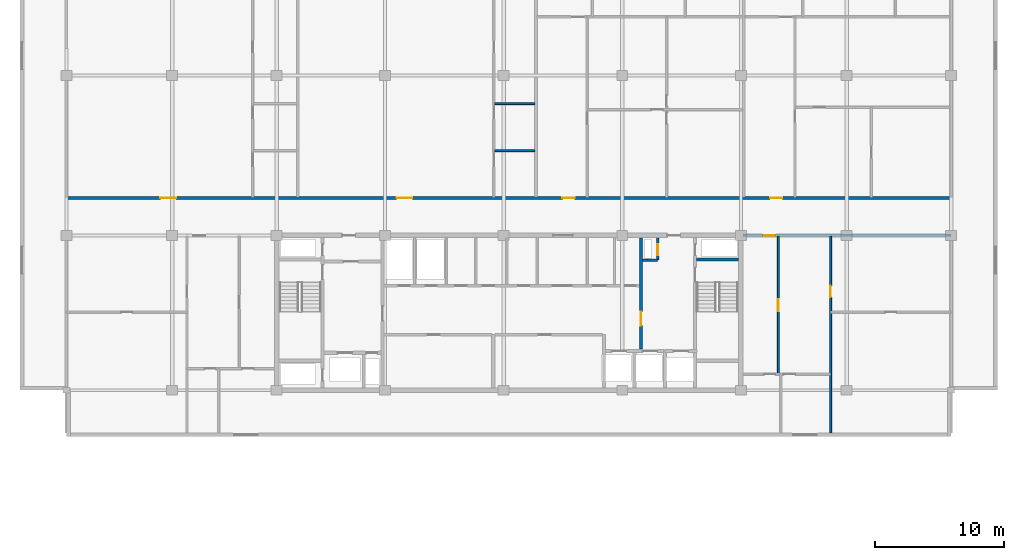
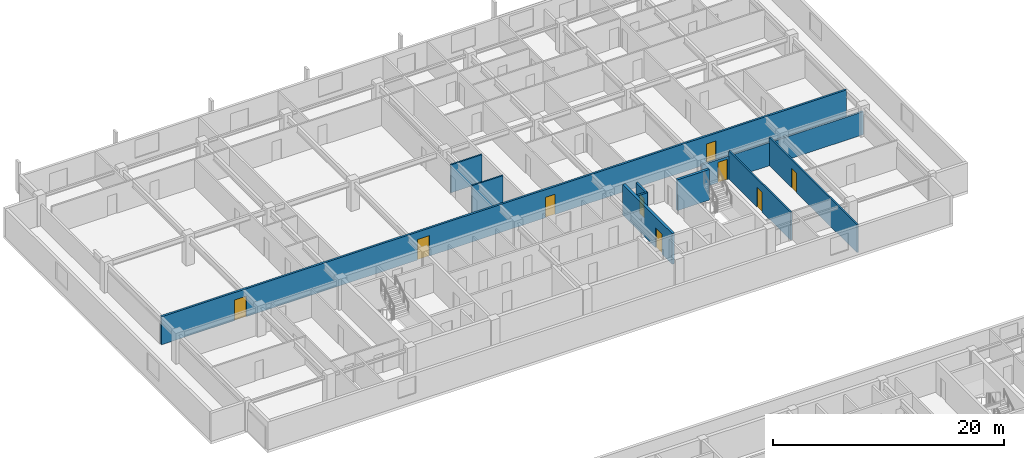
# One storey, part 21 of 30: 10 walls, 9 doors, 9 openings.
"""IFC4 building model written with IfcOpenShell, lengths in metres."""

from ifc_helpers import new_model, si_unit, direction, frame, frame_2d, origin, place, context, subcontext, project, spatial, rectangle, extrude, material, layer, layer_set, type_object, element, fill, save


model = new_model("IFC4")

# Units and contexts
model_context = context("Model", 3, precision=1e-05, world=origin(), true_north=direction((0.0, 1.0)))
body_context = subcontext(model_context, "Body", "Model", "MODEL_VIEW")
ifc_project = project(units=[si_unit("LENGTHUNIT", "METRE"), si_unit("AREAUNIT", "SQUARE_METRE"), si_unit("VOLUMEUNIT", "CUBIC_METRE"), si_unit("PLANEANGLEUNIT", "RADIAN"), si_unit("MASSUNIT", "GRAM", prefix="KILO")], contexts=[model_context])

# Site, building, storey
site_placement = place(None, origin())
site = spatial("IfcSite", under=ifc_project, at=site_placement, CompositionType="ELEMENT")
building_placement = place(site_placement, origin())
building = spatial("IfcBuilding", under=site, at=building_placement, Name="Korimba Cascade Residences", CompositionType="ELEMENT")
storey_placement = place(building_placement, frame((0.0, 0.0, 201.10009765625)))
storey = spatial("IfcBuildingStorey", under=building, at=storey_placement, Name="L58", CompositionType="ELEMENT", Elevation=201.10009765625)

# Wall, opening, door
ifc_material_1 = material(Name="Precast concrete C40/50", Category="concrete")
ifc_layer_1 = layer(ifc_material_1, 0.199951171875)
ifc_layer_set_1 = layer_set([ifc_layer_1], Name="Precast concrete C40/50")
wall_type_1 = type_object("IfcWallType", Name="WAL-IT-200", PredefinedType="PARTITIONING", material=ifc_layer_set_1)
wall_1_placement = place(storey_placement, frame((112.25, 67.199951171875, 0.0), z_axis=(0.0, 0.0, 1.0), x_axis=(1.0, 0.0, 0.0)))
wall_1 = element("IfcWall", 1, at=wall_1_placement, inside=storey, type_object=wall_type_1, Name="L58 Partition Wall WAL-L58-T1-FE-N", PredefinedType="PARTITIONING", context=body_context, shape_type="SweptSolid", body=[
    extrude(rectangle(XDim=16.14990234375, YDim=0.199951171875, at=frame_2d((8.074951171875, 0.0))), origin(), (0.0, 0.0, 1.0), 2.43310546875),
])
opening_1_placement = place(wall_1_placement, frame((1.580078125, 0.0, 0.0)))
opening_1 = element("IfcOpeningElement", 2, at=opening_1_placement, cuts=wall_1, Name="Opening D-UN1", PredefinedType="OPENING", context=body_context, shape_type="SweptSolid", body=[
    extrude(rectangle(XDim=0.949951171875, YDim=2.14990234375, at=frame_2d((0.47509765625, 1.074951171875))), frame((0.0, 0.10986328125, 0.0), z_axis=(0.0, -1.0, 0.0), x_axis=(1.0, 0.0, 0.0)), (0.0, 0.0, 1.0), 0.219970703125),
])
ifc_material_2 = material(Name="Fire-Rated Hardwood Apartment Entrance Door", Category="wood")
door_type_1 = type_object("IfcDoorType", Name="DR-FD60-950", OperationType="NOTDEFINED", PredefinedType="DOOR", material=ifc_material_2)
door_1_placement = place(opening_1_placement, origin())
door_1 = element("IfcDoor", 3, at=door_1_placement, inside=storey, type_object=door_type_1, Name="L58-T1-FE Entrance Door", OperationType="SINGLE_SWING_LEFT", OverallHeight=2.14990234375, OverallWidth=0.949951171875, PredefinedType="DOOR", context=body_context, shape_type="SweptSolid", body=[
    extrude(rectangle(XDim=0.949951171875, YDim=2.14990234375, at=frame_2d((0.47509765625, 1.074951171875))), frame((0.0, 0.02490234375, 0.0), z_axis=(0.0, -1.0, 0.0), x_axis=(1.0, 0.0, 0.0)), (0.0, 0.0, 1.0), 0.050048828125),
])
fill(opening_1, door_1)

# Wall, openings, doors
wall_2_placement = place(storey_placement, frame((59.800048828125, 70.10009765625, 0.0), z_axis=(0.0, 0.0, 1.0), x_axis=(1.0, 0.0, 0.0)))
wall_2 = element("IfcWall", 4, at=wall_2_placement, inside=storey, type_object=wall_type_1, Name="L58 Partition Wall WAL-L58-T1-CORN", PredefinedType="PARTITIONING", context=body_context, shape_type="SweptSolid", body=[
    extrude(rectangle(XDim=68.599853515625, YDim=0.199951171875, at=frame_2d((34.2998046875, 0.0))), origin(), (0.0, 0.0, 1.0), 2.969970703125),
])
opening_2_placement = place(wall_2_placement, frame((7.281494140625, 0.0, 0.0)))
opening_2 = element("IfcOpeningElement", 5, at=opening_2_placement, cuts=wall_2, Name="Opening D-AM1", PredefinedType="OPENING", context=body_context, shape_type="SweptSolid", body=[
    extrude(rectangle(XDim=1.219970703125, YDim=2.179931640625, at=frame_2d((0.60986328125, 1.08984375))), frame((0.0, 0.10986328125, 0.0), z_axis=(0.0, -1.0, 0.0), x_axis=(1.0, 0.0, 0.0)), (0.0, 0.0, 1.0), 0.219970703125),
])
opening_3_placement = place(wall_2_placement, frame((25.602294921875, 0.0, 0.0)))
opening_3 = element("IfcOpeningElement", 6, at=opening_3_placement, cuts=wall_2, Name="Opening D-AM1", PredefinedType="OPENING", context=body_context, shape_type="SweptSolid", body=[
    extrude(rectangle(XDim=1.219970703125, YDim=2.179931640625, at=frame_2d((0.60986328125, 1.08984375))), frame((0.0, 0.10986328125, 0.0), z_axis=(0.0, -1.0, 0.0), x_axis=(1.0, 0.0, 0.0)), (0.0, 0.0, 1.0), 0.219970703125),
])
opening_4_placement = place(wall_2_placement, frame((38.45654296875, 0.0, 0.0)))
opening_4 = element("IfcOpeningElement", 7, at=opening_4_placement, cuts=wall_2, Name="Opening D-UN1", PredefinedType="OPENING", context=body_context, shape_type="SweptSolid", body=[
    extrude(rectangle(XDim=0.949951171875, YDim=2.14990234375, at=frame_2d((0.47509765625, 1.074951171875))), frame((0.0, 0.10986328125, 0.0), z_axis=(0.0, -1.0, 0.0), x_axis=(1.0, 0.0, 0.0)), (0.0, 0.0, 1.0), 0.219970703125),
])
opening_5_placement = place(wall_2_placement, frame((54.570556640625, 0.0, 0.0)))
opening_5 = element("IfcOpeningElement", 8, at=opening_5_placement, cuts=wall_2, Name="Opening D-UN1", PredefinedType="OPENING", context=body_context, shape_type="SweptSolid", body=[
    extrude(rectangle(XDim=0.949951171875, YDim=2.14990234375, at=frame_2d((0.47509765625, 1.074951171875))), frame((0.0, 0.10986328125, 0.0), z_axis=(0.0, -1.0, 0.0), x_axis=(1.0, 0.0, 0.0)), (0.0, 0.0, 1.0), 0.219970703125),
])
ifc_material_3 = material(Name="Fire-Rated Glazed Timber Suite Door", Category="wood")
door_type_2 = type_object("IfcDoorType", Name="DR-FD60-1200", OperationType="NOTDEFINED", PredefinedType="DOOR", material=ifc_material_3)
door_2_placement = place(opening_2_placement, origin())
door_2 = element("IfcDoor", 9, at=door_2_placement, inside=storey, type_object=door_type_2, Name="L58-T1-U01 Promenade Design Showroom Door", OperationType="SINGLE_SWING_LEFT", OverallHeight=2.179931640625, OverallWidth=1.219970703125, PredefinedType="DOOR", context=body_context, shape_type="SweptSolid", body=[
    extrude(rectangle(XDim=1.219970703125, YDim=2.179931640625, at=frame_2d((0.60986328125, 1.08984375))), frame((0.0, 0.02490234375, 0.0), z_axis=(0.0, -1.0, 0.0), x_axis=(1.0, 0.0, 0.0)), (0.0, 0.0, 1.0), 0.050048828125),
])
fill(opening_2, door_2)
door_3_placement = place(opening_3_placement, origin())
door_3 = element("IfcDoor", 10, at=door_3_placement, inside=storey, type_object=door_type_2, Name="L58-T1-U02 Resident Conference Room Door", OperationType="SINGLE_SWING_RIGHT", OverallHeight=2.179931640625, OverallWidth=1.219970703125, PredefinedType="DOOR", context=body_context, shape_type="SweptSolid", body=[
    extrude(rectangle(XDim=1.219970703125, YDim=2.179931640625, at=frame_2d((0.60986328125, 1.08984375))), frame((0.0, 0.02490234375, 0.0), z_axis=(0.0, -1.0, 0.0), x_axis=(1.0, 0.0, 0.0)), (0.0, 0.0, 1.0), 0.050048828125),
])
fill(opening_3, door_3)
door_4_placement = place(opening_4_placement, origin())
door_4 = element("IfcDoor", 11, at=door_4_placement, inside=storey, type_object=door_type_1, Name="Unit L58-T1-U03 Entrance Door", OperationType="SINGLE_SWING_LEFT", OverallHeight=2.14990234375, OverallWidth=0.949951171875, PredefinedType="DOOR", context=body_context, shape_type="SweptSolid", body=[
    extrude(rectangle(XDim=0.949951171875, YDim=2.14990234375, at=frame_2d((0.47509765625, 1.074951171875))), frame((0.0, 0.02490234375, 0.0), z_axis=(0.0, -1.0, 0.0), x_axis=(1.0, 0.0, 0.0)), (0.0, 0.0, 1.0), 0.050048828125),
])
fill(opening_4, door_4)
door_5_placement = place(opening_5_placement, origin())
door_5 = element("IfcDoor", 12, at=door_5_placement, inside=storey, type_object=door_type_1, Name="Unit L58-T1-U04 Entrance Door", OperationType="SINGLE_SWING_RIGHT", OverallHeight=2.14990234375, OverallWidth=0.949951171875, PredefinedType="DOOR", context=body_context, shape_type="SweptSolid", body=[
    extrude(rectangle(XDim=0.949951171875, YDim=2.14990234375, at=frame_2d((0.47509765625, 1.074951171875))), frame((0.0, 0.02490234375, 0.0), z_axis=(0.0, -1.0, 0.0), x_axis=(1.0, 0.0, 0.0)), (0.0, 0.0, 1.0), 0.050048828125),
])
fill(opening_5, door_5)

# Wall, opening, door
ifc_material_4 = material(Name="Insulated Acoustic Stud Partition", Category="gypsum")
ifc_layer_2 = layer(ifc_material_4, 0.14990234375)
ifc_layer_set_2 = layer_set([ifc_layer_2], Name="Insulated Acoustic Stud Partition")
wall_type_2 = type_object("IfcWallType", Name="WAL-PART-150", PredefinedType="PARTITIONING", material=ifc_layer_set_2)
wall_3_placement = place(storey_placement, frame((119.050048828125, 51.89990234375, 0.0), z_axis=(0.0, 0.0, 1.0), x_axis=(0.0, 1.0, 0.0)))
wall_3 = element("IfcWall", 13, at=wall_3_placement, inside=storey, type_object=wall_type_2, Name="L58 Partition Wall WAL-L58-T1-FE-STV", PredefinedType="PARTITIONING", context=body_context, shape_type="SweptSolid", body=[
    extrude(rectangle(XDim=15.25, YDim=0.14990234375, at=frame_2d((7.625, 0.0))), origin(), (0.0, 0.0, 1.0), 2.969970703125),
])
opening_6_placement = place(wall_3_placement, frame((10.5, 0.0, 0.0)))
opening_6 = element("IfcOpeningElement", 14, at=opening_6_placement, cuts=wall_3, Name="Opening D-IN2", PredefinedType="OPENING", context=body_context, shape_type="SweptSolid", body=[
    extrude(rectangle(XDim=0.8798828125, YDim=2.06005859375, at=frame_2d((0.43994140625, 1.030029296875))), frame((0.0, 0.0849609375, 0.0), z_axis=(0.0, -1.0, 0.0), x_axis=(1.0, 0.0, 0.0)), (0.0, 0.0, 1.0), 0.169921875),
])
ifc_material_5 = material(Name="Acoustic Timber Bedroom Door", Category="wood")
door_type_3 = type_object("IfcDoorType", Name="DR-INT-880", OperationType="NOTDEFINED", PredefinedType="DOOR", material=ifc_material_5)
door_6_placement = place(opening_6_placement, origin())
door_6 = element("IfcDoor", 15, at=door_6_placement, inside=storey, type_object=door_type_3, Name="L58-T1-FE Study Door", OperationType="SINGLE_SWING_LEFT", OverallHeight=2.06005859375, OverallWidth=0.8798828125, PredefinedType="DOOR", context=body_context, shape_type="SweptSolid", body=[
    extrude(rectangle(XDim=0.8798828125, YDim=2.06005859375, at=frame_2d((0.43994140625, 1.030029296875))), frame((0.0, 0.02490234375, 0.0), z_axis=(0.0, -1.0, 0.0), x_axis=(1.0, 0.0, 0.0)), (0.0, 0.0, 1.0), 0.050048828125),
])
fill(opening_6, door_6)

wall_4_placement = place(storey_placement, frame((115.0, 56.449951171875, 0.0), z_axis=(0.0, 0.0, 1.0), x_axis=(0.0, 1.0, 0.0)))
wall_4 = element("IfcWall", 16, at=wall_4_placement, inside=storey, type_object=wall_type_2, Name="L58 Partition Wall WAL-L58-T1-FE-VN", PredefinedType="PARTITIONING", context=body_context, shape_type="SweptSolid", body=[
    extrude(rectangle(XDim=10.699951171875, YDim=0.14990234375, at=frame_2d((5.35009765625, 0.0))), origin(), (0.0, 0.0, 1.0), 2.969970703125),
])
opening_7_placement = place(wall_4_placement, frame((4.889892578125, 0.0, 0.0)))
opening_7 = element("IfcOpeningElement", 17, at=opening_7_placement, cuts=wall_4, Name="Opening D-IN1", PredefinedType="OPENING", context=body_context, shape_type="SweptSolid", body=[
    extrude(rectangle(XDim=0.919921875, YDim=2.080078125, at=frame_2d((0.4599609375, 1.0400390625))), frame((0.0, 0.0849609375, 0.0), z_axis=(0.0, -1.0, 0.0), x_axis=(1.0, 0.0, 0.0)), (0.0, 0.0, 1.0), 0.169921875),
])
ifc_material_6 = material(Name="Acoustic Timber Living Door", Category="wood")
door_type_4 = type_object("IfcDoorType", Name="DR-INT-920", OperationType="NOTDEFINED", PredefinedType="DOOR", material=ifc_material_6)
door_7_placement = place(opening_7_placement, origin())
door_7 = element("IfcDoor", 18, at=door_7_placement, inside=storey, type_object=door_type_4, Name="L58-T1-FE Living Door", OperationType="SINGLE_SWING_RIGHT", OverallHeight=2.080078125, OverallWidth=0.919921875, PredefinedType="DOOR", context=body_context, shape_type="SweptSolid", body=[
    extrude(rectangle(XDim=0.919921875, YDim=2.080078125, at=frame_2d((0.4599609375, 1.0400390625))), frame((0.0, 0.02490234375, 0.0), z_axis=(0.0, -1.0, 0.0), x_axis=(1.0, 0.0, 0.0)), (0.0, 0.0, 1.0), 0.050048828125),
])
fill(opening_7, door_7)

# Walls
for number, where, z_axis, x_axis, name in (
    (19, (93.001708984375, 73.77001953125, 0.0), (0.0, 0.0, 1.0), (1.0, 0.0, 0.0), "L58 Partition Wall WAL-L58-T1-U02-WCH"),
    (20, (93.001708984375, 77.419921875, 0.0), (0.0, 0.0, 1.0), (1.0, 0.0, 0.0), "L58 Partition Wall WAL-L58-T1-U02-WCH2"),
):
    element("IfcWall", number, at=place(storey_placement, frame(where, z_axis=z_axis, x_axis=x_axis)), inside=storey, type_object=wall_type_2, Name=name, PredefinedType="PARTITIONING", context=body_context, shape_type="SweptSolid", body=[
        extrude(rectangle(XDim=3.1298828125, YDim=0.14990234375, at=frame_2d((1.56494140625, 0.0))), origin(), (0.0, 0.0, 1.0), 2.969970703125),
    ])
ifc_material_7 = material(Name="Concrete C40/50", Category="concrete")
ifc_layer_3 = layer(ifc_material_7, 0.199951171875)
ifc_layer_set_3 = layer_set([ifc_layer_3], Name="Concrete C40/50")
wall_type_3 = type_object("IfcWallType", Name="WAL-PART-200", PredefinedType="PARTITIONING", material=ifc_layer_set_3)
wall_5_placement = place(storey_placement, frame((104.449951171875, 65.280029296875, 0.0), z_axis=(0.0, 0.0, 1.0), x_axis=(1.0, 0.0, 0.0)))
element("IfcWall", 21, at=wall_5_placement, inside=storey, type_object=wall_type_3, Name="L58 Partition Wall CW-L58-T1-HYDW2S", PredefinedType="PARTITIONING", context=body_context, shape_type="SweptSolid", body=[
    extrude(rectangle(XDim=1.199951171875, YDim=0.199951171875, at=frame_2d((0.60009765625, 0.0))), origin(), (0.0, 0.0, 1.0), 2.969970703125),
])

# Wall, opening, door
wall_6_placement = place(storey_placement, frame((105.64990234375, 65.280029296875, 0.0), z_axis=(0.0, 0.0, 1.0), x_axis=(0.0, 1.0, 0.0)))
wall_6 = element("IfcWall", 22, at=wall_6_placement, inside=storey, type_object=wall_type_3, Name="L58 Partition Wall CW-L58-T1-HYDW2E", PredefinedType="PARTITIONING", context=body_context, shape_type="SweptSolid", body=[
    extrude(rectangle(XDim=1.719970703125, YDim=0.199951171875, at=frame_2d((0.85986328125, 0.0))), origin(), (0.0, 0.0, 1.0), 2.969970703125),
])
opening_8_placement = place(wall_6_placement, frame((0.39990234375, 0.0, 0.0)))
opening_8 = element("IfcOpeningElement", 23, at=opening_8_placement, cuts=wall_6, Name="Opening D-RS1", PredefinedType="OPENING", context=body_context, shape_type="SweptSolid", body=[
    extrude(rectangle(XDim=0.85009765625, YDim=2.050048828125, at=frame_2d((0.425048828125, 1.02490234375))), frame((0.0, 0.10986328125, 0.0), z_axis=(0.0, -1.0, 0.0), x_axis=(1.0, 0.0, 0.0)), (0.0, 0.0, 1.0), 0.219970703125),
])
ifc_material_8 = material(Name="Fire-Rated Steel Riser Access Door", Category="steel")
door_type_5 = type_object("IfcDoorType", Name="DR-FD60-850", OperationType="NOTDEFINED", PredefinedType="DOOR", material=ifc_material_8)
door_8_placement = place(opening_8_placement, origin())
door_8 = element("IfcDoor", 24, at=door_8_placement, inside=storey, type_object=door_type_5, Name="L58 East Hydrant Door", OperationType="SINGLE_SWING_RIGHT", OverallHeight=2.050048828125, OverallWidth=0.85009765625, PredefinedType="DOOR", context=body_context, shape_type="SweptSolid", body=[
    extrude(rectangle(XDim=0.85009765625, YDim=2.050048828125, at=frame_2d((0.425048828125, 1.02490234375))), frame((0.0, 0.02490234375, 0.0), z_axis=(0.0, -1.0, 0.0), x_axis=(1.0, 0.0, 0.0)), (0.0, 0.0, 1.0), 0.050048828125),
])
fill(opening_8, door_8)

ifc_material_9 = material(Name="Concrete C50/60", Category="concrete")
ifc_layer_4 = layer(ifc_material_9, 0.25)
ifc_layer_set_4 = layer_set([ifc_layer_4], Name="Concrete C50/60")
wall_type_4 = type_object("IfcWallType", Name="WAL-SHAFT-250", PredefinedType="SHEAR", material=ifc_layer_set_4)
wall_7_placement = place(storey_placement, frame((104.35009765625, 58.39990234375, 0.0), z_axis=(0.0, 0.0, 1.0), x_axis=(0.0, 1.0, 0.0)))
wall_7 = element("IfcWall", 25, at=wall_7_placement, inside=storey, type_object=wall_type_4, Name="L58 Core Shear Wall CW-L58-T1-LLEV", PredefinedType="SHEAR", context=body_context, shape_type="SweptSolid", body=[
    extrude(rectangle(XDim=8.60009765625, YDim=0.25, at=frame_2d((4.300048828125, 0.0))), origin(), (0.0, 0.0, 1.0), 3.25),
])
opening_9_placement = place(wall_7_placement, frame((1.800048828125, 0.0, 0.0)))
opening_9 = element("IfcOpeningElement", 26, at=opening_9_placement, cuts=wall_7, Name="Opening D-FD1", PredefinedType="OPENING", context=body_context, shape_type="SweptSolid", body=[
    extrude(rectangle(XDim=1.10009765625, YDim=2.10009765625, at=frame_2d((0.550048828125, 1.050048828125))), frame((0.0, 0.135009765625, 0.0), z_axis=(0.0, -1.0, 0.0), x_axis=(1.0, 0.0, 0.0)), (0.0, 0.0, 1.0), 0.27001953125),
])
ifc_material_10 = material(Name="Fire-Rated Steel Core Door", Category="steel")
door_type_6 = type_object("IfcDoorType", Name="DR-FD120-1100", OperationType="NOTDEFINED", PredefinedType="DOOR", material=ifc_material_10)
door_9_placement = place(opening_9_placement, origin())
door_9 = element("IfcDoor", 27, at=door_9_placement, inside=storey, type_object=door_type_6, Name="L58 Lift Lobby to East Firefighting Lobby Door", OperationType="SINGLE_SWING_LEFT", OverallHeight=2.10009765625, OverallWidth=1.10009765625, PredefinedType="DOOR", context=body_context, shape_type="SweptSolid", body=[
    extrude(rectangle(XDim=1.10009765625, YDim=2.10009765625, at=frame_2d((0.550048828125, 1.050048828125))), frame((0.0, 0.02490234375, 0.0), z_axis=(0.0, -1.0, 0.0), x_axis=(1.0, 0.0, 0.0)), (0.0, 0.0, 1.0), 0.050048828125),
])
fill(opening_9, door_9)

# Wall
wall_8_placement = place(storey_placement, frame((108.659912109375, 65.324951171875, 0.0), z_axis=(0.0, 0.0, 1.0), x_axis=(1.0, 0.0, 0.0)))
element("IfcWall", 28, at=wall_8_placement, inside=storey, type_object=wall_type_4, Name="L58 Core Shear Wall CW-L58-T1-STW2N", PredefinedType="SHEAR", context=body_context, shape_type="SweptSolid", body=[
    extrude(rectangle(XDim=3.239990234375, YDim=0.25, at=frame_2d((1.6201171875, 0.0))), origin(), (0.0, 0.0, 1.0), 3.25),
])

save(model, "model.ifc")
